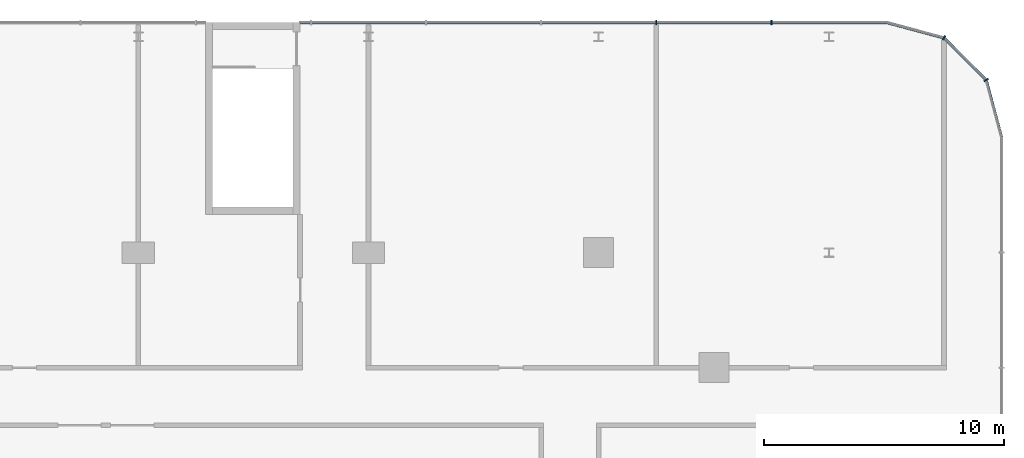
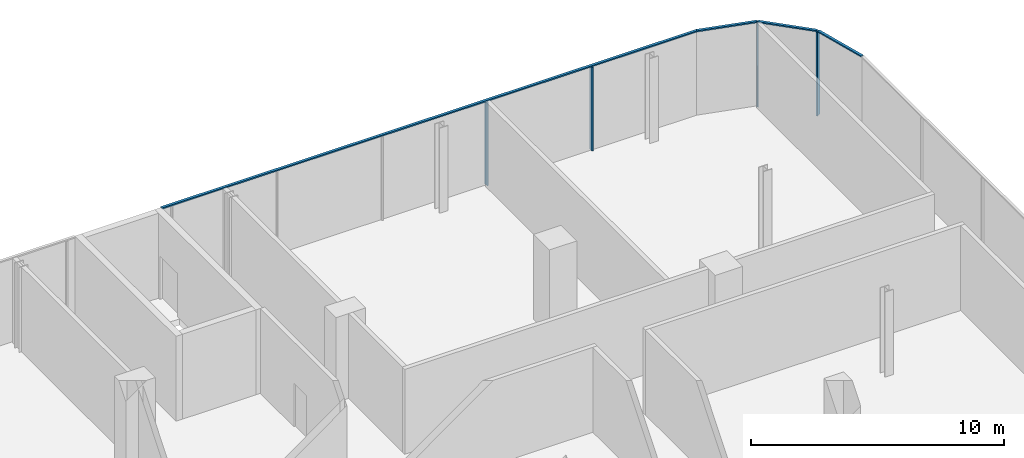
# One storey, part 18 of 32: 8 members, 2 elements without a shape of their own.
"""IFC4 building model written with IfcOpenShell, lengths in metres."""

from ifc_helpers import new_model, si_unit, direction, frame, origin, origin_2d, place, context, subcontext, project, spatial, rectangle, extrude, material, layer, layer_set, material_profile, profile_set, type_object, element, aggregate, save


model = new_model("IFC4")

# Units and contexts
model_context = context("Model", 3, precision=1e-05, world=origin(), true_north=direction((0.0, 1.0)))
body_context = subcontext(model_context, "Body", "Model", "MODEL_VIEW")
ifc_project = project(units=[si_unit("LENGTHUNIT", "METRE"), si_unit("AREAUNIT", "SQUARE_METRE"), si_unit("VOLUMEUNIT", "CUBIC_METRE"), si_unit("PLANEANGLEUNIT", "RADIAN"), si_unit("MASSUNIT", "GRAM", prefix="KILO")], contexts=[model_context])

# Site, building, storey
site_placement = place(None, origin())
site = spatial("IfcSite", under=ifc_project, at=site_placement, CompositionType="ELEMENT")
building_placement = place(site_placement, origin())
building = spatial("IfcBuilding", under=site, at=building_placement, Name="Madar Terraces", CompositionType="ELEMENT")
storey_placement = place(building_placement, frame((0.0, 0.0, 19.5)))
storey = spatial("IfcBuildingStorey", under=building, at=storey_placement, Name="L04", CompositionType="ELEMENT", Elevation=19.5)

# Curtain wall, members
ifc_material_1 = material(Name="Glass, clear low-iron, with black aluminium frame", Category="aluminium")
ifc_layer = layer(ifc_material_1, 0.199951171875)
ifc_layer_set = layer_set([ifc_layer], Name="Facade curtain wall, shopfront glazing")
curtain_wall_type = type_object("IfcCurtainWallType", Name="Facade curtain wall, shopfront glazing", PredefinedType="NOTDEFINED", material=ifc_layer_set)
curtain_wall_1_placement = place(storey_placement, origin())
curtain_wall_1 = element("IfcCurtainWall", 1, at=curtain_wall_1_placement, inside=storey, type_object=curtain_wall_type, Name="Outer skin curtain wall north bay 1", PredefinedType="NOTDEFINED")
ifc_material_2 = material(Name="Aluminium, black anodised", Category="aluminium")
ifc_material_profile_1 = material_profile(ifc_material_2, rectangle(XDim=0.199951171875, YDim=0.06005859375, at=origin_2d()), Name="Facade mullion 60x200")
ifc_profile_set_1 = profile_set([ifc_material_profile_1], Name="Aluminium, black anodised")
member_type_1 = type_object("IfcMemberType", Name="Facade mullion 60x200", PredefinedType="MULLION", material=ifc_profile_set_1)
member_1_placement = place(storey_placement, frame((60.0, 57.60009765625, 0.0), z_axis=(0.0, 0.0, 1.0), x_axis=(0.0, -1.0, 0.0)))
member_1 = element("IfcMember", 2, at=member_1_placement, type_object=member_type_1, Name="Mullion 1", PredefinedType="MULLION", context=body_context, shape_type="SweptSolid", body=[
    extrude(rectangle(XDim=0.199951171875, YDim=0.06005859375, at=origin_2d()), origin(), (0.0, 0.0, 1.0), 4.0400390625),
])
member_2_placement = place(storey_placement, frame((55.199951171875, 57.60009765625, 0.0), z_axis=(0.0, 0.0, 1.0), x_axis=(0.0, -1.0, 0.0)))
member_2 = element("IfcMember", 3, at=member_2_placement, type_object=member_type_1, Name="Mullion 2", PredefinedType="MULLION", context=body_context, shape_type="SweptSolid", body=[
    extrude(rectangle(XDim=0.199951171875, YDim=0.06005859375, at=origin_2d()), origin(), (0.0, 0.0, 1.0), 4.0400390625),
])

curtain_wall_2_placement = place(storey_placement, origin())
curtain_wall_2 = element("IfcCurtainWall", 4, at=curtain_wall_2_placement, inside=storey, type_object=curtain_wall_type, Name="Outer skin curtain wall north-east corner", PredefinedType="NOTDEFINED")
member_3_placement = place(storey_placement, frame((68.95703125, 55.199951171875, 0.0), z_axis=(0.0, 0.0, 1.0), x_axis=(-0.866025409797, -0.499999989586, 0.0)))
member_3 = element("IfcMember", 5, at=member_3_placement, type_object=member_type_1, Name="Mullion 1", PredefinedType="MULLION", context=body_context, shape_type="SweptSolid", body=[
    extrude(rectangle(XDim=0.199951171875, YDim=0.06005859375, at=origin_2d()), origin(), (0.0, 0.0, 1.0), 4.0400390625),
])
member_4_placement = place(storey_placement, frame((67.199951171875, 56.95703125, 0.0), z_axis=(0.0, 0.0, 1.0), x_axis=(-0.499999989586, -0.866025409797, 0.0)))
member_4 = element("IfcMember", 6, at=member_4_placement, type_object=member_type_1, Name="Mullion 2", PredefinedType="MULLION", context=body_context, shape_type="SweptSolid", body=[
    extrude(rectangle(XDim=0.199951171875, YDim=0.06005859375, at=origin_2d()), origin(), (0.0, 0.0, 1.0), 4.0400390625),
])

# Member
ifc_material_3 = material(Name="Aluminium, black anodised", Category="aluminium")
ifc_material_profile_2 = material_profile(ifc_material_3, rectangle(XDim=0.1201171875, YDim=0.06005859375, at=origin_2d()), Name="Facade transom 60x120")
ifc_profile_set_2 = profile_set([ifc_material_profile_2], Name="Aluminium, black anodised")
member_type_2 = type_object("IfcMemberType", Name="Facade transom 60x120", PredefinedType="USERDEFINED", material=ifc_profile_set_2)
member_5_placement = place(storey_placement, frame((64.800048828125, 57.60009765625, 4.070068359375), z_axis=(-1.0, 0.0, 0.0), x_axis=(0.0, -1.0, 0.0)))
member_5 = element("IfcMember", 7, at=member_5_placement, type_object=member_type_2, Name="Transom 1", ObjectType="TRANSOM", PredefinedType="USERDEFINED", context=body_context, shape_type="SweptSolid", body=[
    extrude(rectangle(XDim=0.1201171875, YDim=0.06005859375, at=origin_2d()), origin(), (0.0, 0.0, 1.0), 24.449951171875),
])

aggregate(curtain_wall_1, [member_1, member_2, member_5])

member_6_placement = place(storey_placement, frame((69.60009765625, 52.800048828125, 4.070068359375), z_axis=(-0.258881906514, 0.965908980432, 0.0), x_axis=(-0.965908980432, -0.258881906514, 0.0)))
member_6 = element("IfcMember", 8, at=member_6_placement, type_object=member_type_2, Name="Transom 1", ObjectType="TRANSOM", PredefinedType="USERDEFINED", context=body_context, shape_type="SweptSolid", body=[
    extrude(rectangle(XDim=0.1201171875, YDim=0.06005859375, at=origin_2d()), origin(), (0.0, 0.0, 1.0), 2.454833984375),
])

member_7_placement = place(storey_placement, frame((68.935791015625, 55.22119140625, 4.070068359375), z_axis=(-0.707106781187, 0.707106781187, 0.0), x_axis=(-0.707106781187, -0.707106781187, 0.0)))
member_7 = element("IfcMember", 9, at=member_7_placement, type_object=member_type_2, Name="Transom 2", ObjectType="TRANSOM", PredefinedType="USERDEFINED", context=body_context, shape_type="SweptSolid", body=[
    extrude(rectangle(XDim=0.1201171875, YDim=0.06005859375, at=origin_2d()), origin(), (0.0, 0.0, 1.0), 2.4248046875),
])

member_8_placement = place(storey_placement, frame((67.171142578125, 56.964599609375, 4.070068359375), z_axis=(-0.965908980432, 0.258881906514, 0.0), x_axis=(-0.258881906514, -0.965908980432, 0.0)))
member_8 = element("IfcMember", 10, at=member_8_placement, type_object=member_type_2, Name="Transom 3", ObjectType="TRANSOM", PredefinedType="USERDEFINED", context=body_context, shape_type="SweptSolid", body=[
    extrude(rectangle(XDim=0.1201171875, YDim=0.06005859375, at=origin_2d()), origin(), (0.0, 0.0, 1.0), 2.454833984375),
])

aggregate(curtain_wall_2, [member_3, member_6, member_4, member_7, member_8])

save(model, "model.ifc")
